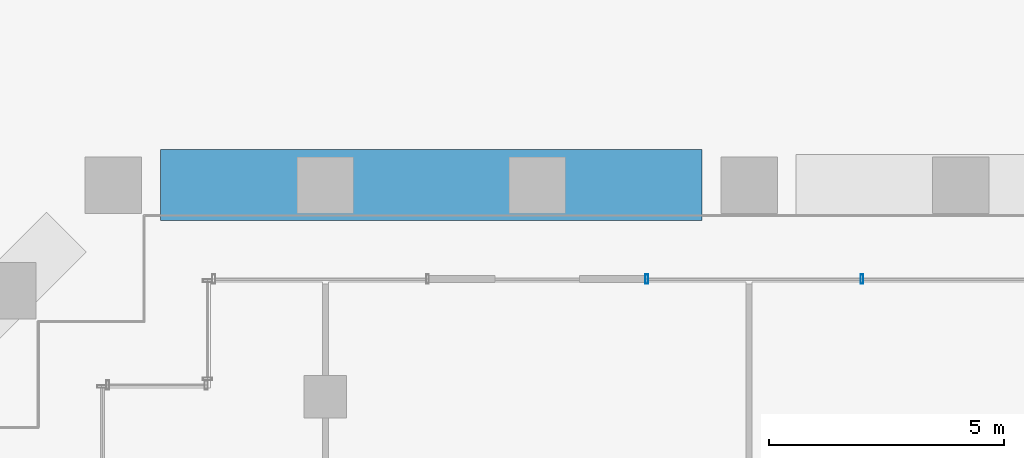
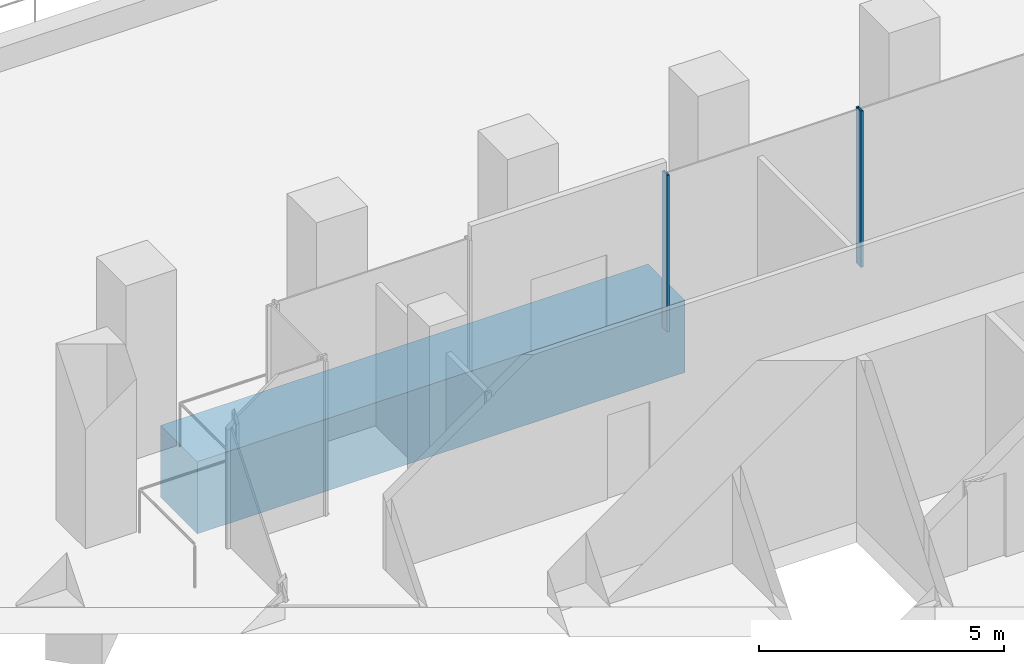
# One storey, part 19 of 32: 2 members, 1 beam, 1 element without a shape of its own.
"""IFC4 building model written with IfcOpenShell, lengths in metres."""

import ifcopenshell
import ifcopenshell.guid

model = None  # the IFC model being written
_history = None  # IfcOwnerHistory: only IFC2X3 demands one
_inside = {}  # id of a spatial element -> (the spatial element, [elements in it])
_under = {}  # id of a project, library or spatial element -> (it, [spatial elements below it])
_declared = {}  # id of a project -> (the project, [libraries it declares])
_typed = {}  # id of a type object -> (the type object, [elements of that type])
_made_of = {}  # id of a material, layer set ... -> (it, [elements and type objects made of it])


def new_model(schema):
    """Start an empty IFC model of exactly this schema.

    Asked for "IFC4X3", IfcOpenShell would pick the latest addendum, in which some entities
    have other attributes; the version numbers below select the first issue.
    IFC2X3 requires an IfcOwnerHistory on every rooted entity: one is made here for all.
    """
    global model, _history
    if schema == "IFC4X3":
        model = ifcopenshell.file(schema_version=(4, 3, 0, 0))
    else:
        model = ifcopenshell.file(schema=schema)
    _inside.clear()
    _under.clear()
    _declared.clear()
    _typed.clear()
    _made_of.clear()
    _history = None
    if model.schema == "IFC2X3":
        org = make("IfcOrganization", Name="unknown")
        user = make(
            "IfcPersonAndOrganization",
            ThePerson=make("IfcPerson", FamilyName="unknown"),
            TheOrganization=org,
        )
        app = make(
            "IfcApplication",
            ApplicationDeveloper=org,
            Version="unknown",
            ApplicationFullName="unknown",
            ApplicationIdentifier="unknown",
        )
        _history = make(
            "IfcOwnerHistory",
            OwningUser=user,
            OwningApplication=app,
            ChangeAction="ADDED",
            CreationDate=0,
        )
    return model


def make(cls, **values):
    """One entity of the class cls with the attributes given. An attribute that is None is left unset."""
    return model.create_entity(
        cls, **{name: value for name, value in values.items() if value is not None}
    )


def rooted(cls, **values):
    """An entity with a GlobalId (a new one), such as an element, a storey or a relation."""
    return make(cls, GlobalId=ifcopenshell.guid.new(), OwnerHistory=_history, **values)


def si_unit(unit_type, name, prefix=None):
    """IfcSIUnit, for example si_unit("LENGTHUNIT", "METRE", prefix="MILLI")."""
    return make("IfcSIUnit", UnitType=unit_type, Prefix=prefix, Name=name)


def assignment(units):
    """IfcUnitAssignment: the units of a project."""
    return None if units is None else make("IfcUnitAssignment", Units=units)


def point(xyz):
    """IfcCartesianPoint."""
    return None if xyz is None else make("IfcCartesianPoint", Coordinates=xyz)


def direction(xyz):
    """IfcDirection."""
    return None if xyz is None else make("IfcDirection", DirectionRatios=xyz)


def frame(location, z_axis=None, x_axis=None):
    """IfcAxis2Placement3D, a coordinate frame: its origin and axes. An axis left out is left unset."""
    return make(
        "IfcAxis2Placement3D",
        Location=point(location),
        Axis=direction(z_axis),
        RefDirection=direction(x_axis),
    )


def frame_2d(location, x_axis=None):
    """IfcAxis2Placement2D, a coordinate frame in the plane: its origin and x axis."""
    return make(
        "IfcAxis2Placement2D", Location=point(location), RefDirection=direction(x_axis)
    )


def origin():
    """The frame at (0, 0, 0) with its axes left unset."""
    return frame((0.0, 0.0, 0.0))


def origin_2d():
    """The frame at (0, 0) in the plane with its x axis left unset."""
    return frame_2d((0.0, 0.0))


def place(relative_to, where):
    """IfcLocalPlacement: puts the frame where relative to a parent placement (None: the world)."""
    return make(
        "IfcLocalPlacement", PlacementRelTo=relative_to, RelativePlacement=where
    )


def context(
    kind, dimensions, precision=None, world=None, true_north=None, identifier=None
):
    """IfcGeometricRepresentationContext, for example the 3D "Model" context."""
    return make(
        "IfcGeometricRepresentationContext",
        ContextIdentifier=identifier,
        ContextType=kind,
        CoordinateSpaceDimension=dimensions,
        Precision=precision,
        WorldCoordinateSystem=world,
        TrueNorth=true_north,
    )


def subcontext(parent, identifier, kind, view, scale=None):
    """IfcGeometricRepresentationSubContext, for example "Body" below "Model"."""
    return make(
        "IfcGeometricRepresentationSubContext",
        ContextIdentifier=identifier,
        ContextType=kind,
        ParentContext=parent,
        TargetScale=scale,
        TargetView=view,
    )


def project(units=None, contexts=None):
    """IfcProject with its units and contexts."""
    return rooted(
        "IfcProject",
        Name="project",
        RepresentationContexts=contexts,
        UnitsInContext=assignment(units),
    )


def spatial(cls, under=None, at=None, **own):
    """A site, building, storey or space (cls), placed at a placement, below another one or the project."""
    s = rooted(cls, ObjectPlacement=at, **own)
    if under is not None:
        _under.setdefault(under.id(), (under, []))[1].append(s)
    return s


def profile(cls, at=None, kind="AREA", **sizes):
    """A parametric profile (cls). Its sizes go by their IFC names, for example OverallWidth=200.0."""
    return make(cls, ProfileType=kind, Position=at, **sizes)


def rectangle(**sizes):
    """IfcRectangleProfileDef."""
    return profile("IfcRectangleProfileDef", **sizes)


def hollow_rectangle(**sizes):
    """IfcRectangleHollowProfileDef."""
    return profile("IfcRectangleHollowProfileDef", **sizes)


def extrude(swept, where, along, depth):
    """IfcExtrudedAreaSolid: the profile swept, set in the frame where, extruded along a direction by depth."""
    return make(
        "IfcExtrudedAreaSolid",
        SweptArea=swept,
        Position=where,
        ExtrudedDirection=direction(along),
        Depth=depth,
    )


def shape(context_of_items, identifier, shape_type, items):
    """IfcShapeRepresentation: the items that make up one representation, for example the "Body"."""
    return make(
        "IfcShapeRepresentation",
        ContextOfItems=context_of_items,
        RepresentationIdentifier=identifier,
        RepresentationType=shape_type,
        Items=items,
    )


def material(Name=None, Category=None):
    """IfcMaterial."""
    return make("IfcMaterial", Name=Name, Category=Category)


def material_profile(
    of_material, cross_section, Name=None, Category=None, Priority=None
):
    """IfcMaterialProfile: a cross section and its material."""
    return make(
        "IfcMaterialProfile",
        Name=Name,
        Material=of_material,
        Profile=cross_section,
        Priority=Priority,
        Category=Category,
    )


def profile_set(profiles, Name=None, composite=None):
    """IfcMaterialProfileSet."""
    return make(
        "IfcMaterialProfileSet",
        Name=Name,
        MaterialProfiles=profiles,
        CompositeProfile=composite,
    )


def made_of(thing, what):
    """Note that an element or type object is made of a material, layer set ...; save() writes the relation."""
    if what is not None:
        _made_of.setdefault(what.id(), (what, []))[1].append(thing)
    return thing


def type_object(cls, material=None, **own):
    """A type object (cls), such as IfcWallType, which elements share."""
    return made_of(rooted(cls, **own), material)


def element(
    cls,
    number,
    at=None,
    inside=None,
    cuts=None,
    type_object=None,
    material=None,
    context=None,
    identifier="Body",
    shape_type=None,
    held_by="IfcProductDefinitionShape",
    body=None,
    shapes=None,
    **own,
):
    """One element of the class cls, such as IfcWall. Its Tag is "e" and its number.

    at: its placement. inside: the storey or other place that contains it. cuts: it is an
    opening in that element (IfcRelVoidsElement). A single representation is given by context,
    identifier, shape_type and body (its items); several are given by shapes. held_by: the class
    of the entity that holds the representations. save() writes the other relations.
    """
    e = rooted(cls, Tag="e%d" % number, ObjectPlacement=at, **own)
    if body is not None:
        shapes = [shape(context, identifier, shape_type, body)]
    if shapes is not None:
        e.Representation = make(held_by, Representations=shapes)
    if inside is not None:
        _inside.setdefault(inside.id(), (inside, []))[1].append(e)
    if cuts is not None:
        rooted(
            "IfcRelVoidsElement", RelatingBuildingElement=cuts, RelatedOpeningElement=e
        )
    if type_object is not None:
        _typed.setdefault(type_object.id(), (type_object, []))[1].append(e)
    return made_of(e, material)


def aggregate(whole, parts):
    """IfcRelAggregates: a whole, such as a stair, and the parts it consists of."""
    return rooted("IfcRelAggregates", RelatingObject=whole, RelatedObjects=parts)


def save(model, path):
    """Write the relations noted so far, then the file.

    IfcRelAggregates (storeys below a building ...), IfcRelContainedInSpatialStructure (elements
    in a storey), IfcRelDefinesByType, IfcRelAssociatesMaterial and IfcRelDeclares: one each for
    every whole, place, type object, material and project.
    """
    for whole, parts in _under.values():
        aggregate(whole, parts)
    for where, things in _inside.values():
        rooted(
            "IfcRelContainedInSpatialStructure",
            RelatedElements=things,
            RelatingStructure=where,
        )
    for kind, things in _typed.values():
        rooted("IfcRelDefinesByType", RelatedObjects=things, RelatingType=kind)
    for what, things in _made_of.values():
        rooted("IfcRelAssociatesMaterial", RelatedObjects=things, RelatingMaterial=what)
    for by, libraries in _declared.values():
        rooted("IfcRelDeclares", RelatingContext=by, RelatedDefinitions=libraries)
    model.write(path)


model = new_model("IFC4")

# Units and contexts
model_context = context("Model", 3, precision=1e-05, world=origin(), true_north=direction((0.0, 1.0)))
body_context = subcontext(model_context, "Body", "Model", "MODEL_VIEW")
ifc_project = project(units=[si_unit("LENGTHUNIT", "METRE"), si_unit("AREAUNIT", "SQUARE_METRE"), si_unit("VOLUMEUNIT", "CUBIC_METRE"), si_unit("PLANEANGLEUNIT", "RADIAN"), si_unit("MASSUNIT", "GRAM", prefix="KILO")], contexts=[model_context])

# Site, building, storey
site_placement = place(None, origin())
site = spatial("IfcSite", under=ifc_project, at=site_placement, CompositionType="ELEMENT")
building_placement = place(site_placement, origin())
building = spatial("IfcBuilding", under=site, at=building_placement, Name="Altepetl Exchange Towers", CompositionType="ELEMENT")
storey_placement = place(building_placement, frame((0.0, 0.0, 21.0)))
storey = spatial("IfcBuildingStorey", under=building, at=storey_placement, Name="L04", CompositionType="ELEMENT", Elevation=21.0)

# Curtain wall, members
ifc_material_1 = material(Name="Aluminium 6063-T6 glazing", Category="aluminium")
curtain_wall_type = type_object("IfcCurtainWallType", Name="Trading floor glazing system", PredefinedType="NOTDEFINED", material=ifc_material_1)
curtain_wall_placement = place(storey_placement, origin())
curtain_wall = element("IfcCurtainWall", 1, at=curtain_wall_placement, inside=storey, type_object=curtain_wall_type, Name="CW2 run", PredefinedType="NOTDEFINED")
ifc_material_2 = material(Name="Aluminium 6063-T6", Category="aluminium")
ifc_material_profile_1 = material_profile(ifc_material_2, hollow_rectangle(XDim=0.06005859375, YDim=0.199951171875, WallThickness=0.0029296875, at=origin_2d()), Name="Mullion 60x200 aluminium")
ifc_profile_set_1 = profile_set([ifc_material_profile_1], Name="Aluminium 6063-T6")
member_type = type_object("IfcMemberType", Name="Mullion 60x200 aluminium", PredefinedType="MULLION", material=ifc_profile_set_1)
member_1_placement = place(storey_placement, frame((114.89990234375, 56.5, 0.0), z_axis=(0.0, 0.0, 1.0), x_axis=(-1.0, 0.0, 0.0)))
member_1 = element("IfcMember", 2, at=member_1_placement, type_object=member_type, Name="MU2 mullion", PredefinedType="MULLION", context=body_context, shape_type="SweptSolid", body=[
    extrude(hollow_rectangle(XDim=0.06005859375, YDim=0.199951171875, WallThickness=0.0029296875, at=origin_2d()), origin(), (0.0, 0.0, 1.0), 3.89990234375),
])
member_2_placement = place(storey_placement, frame((110.330078125, 56.5, 0.0), z_axis=(0.0, 0.0, 1.0), x_axis=(-1.0, 0.0, 0.0)))
member_2 = element("IfcMember", 3, at=member_2_placement, type_object=member_type, Name="MU2 mullion", PredefinedType="MULLION", context=body_context, shape_type="SweptSolid", body=[
    extrude(hollow_rectangle(XDim=0.06005859375, YDim=0.199951171875, WallThickness=0.0029296875, at=origin_2d()), origin(), (0.0, 0.0, 1.0), 3.89990234375),
])
aggregate(curtain_wall, [member_1, member_2])

# Beam
ifc_material_3 = material(Name="Concrete C60/75", Category="concrete")
ifc_material_profile_2 = material_profile(ifc_material_3, rectangle(XDim=1.5, YDim=1.800048828125, at=origin_2d()), Name="1500 x 1800")
ifc_profile_set_2 = profile_set([ifc_material_profile_2], Name="Concrete C60/75")
beam_type = type_object("IfcBeamType", Name="Transfer girder 1500x1800", PredefinedType="BEAM", material=ifc_profile_set_2)
beam_placement = place(storey_placement, frame((100.0, 58.5, -1.35009765625), z_axis=(1.0, 0.0, 0.0), x_axis=(0.0, 1.0, 0.0)))
element("IfcBeam", 4, at=beam_placement, inside=storey, type_object=beam_type, Name="bm:B:L04:tg04", PredefinedType="BEAM", context=body_context, shape_type="SweptSolid", body=[
    extrude(rectangle(XDim=1.5, YDim=1.800048828125, at=origin_2d()), origin(), (0.0, 0.0, 1.0), 11.5),
])

save(model, "model.ifc")
